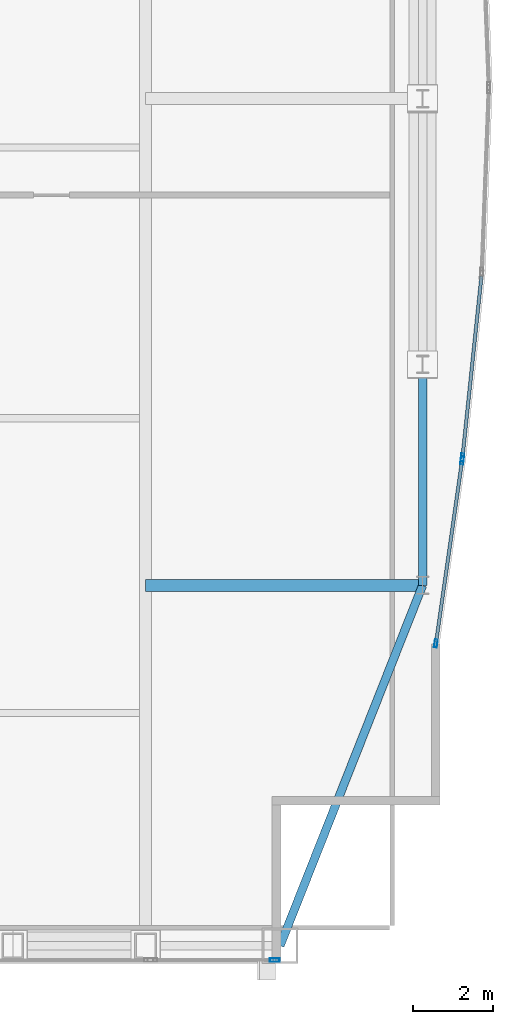
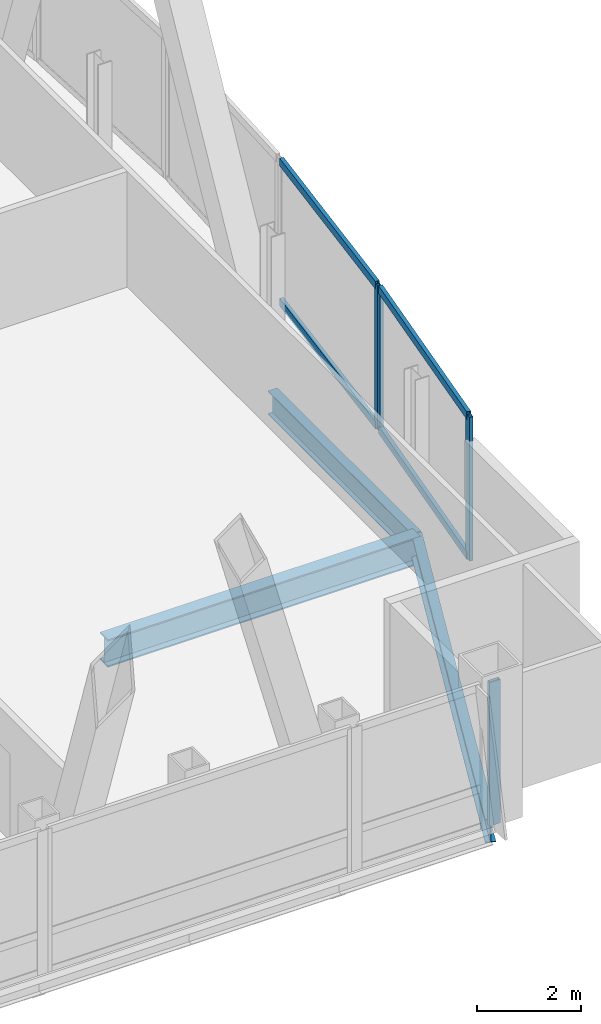
# One storey, part 15 of 29: 8 members, 3 beams, 3 elements without a shape of their own.
"""IFC4 building model written with IfcOpenShell, lengths in metres."""

from ifc_helpers import new_model, si_unit, direction, frame, origin, origin_2d, place, context, subcontext, project, spatial, hollow_rectangle, i_section, extrude, material, material_profile, profile_set, type_object, element, aggregate, save


model = new_model("IFC4")

# Units and contexts
model_context = context("Model", 3, precision=1e-05, world=origin(), true_north=direction((0.0, 1.0)))
body_context = subcontext(model_context, "Body", "Model", "MODEL_VIEW")
ifc_project = project(units=[si_unit("LENGTHUNIT", "METRE"), si_unit("AREAUNIT", "SQUARE_METRE"), si_unit("VOLUMEUNIT", "CUBIC_METRE"), si_unit("PLANEANGLEUNIT", "RADIAN"), si_unit("MASSUNIT", "GRAM", prefix="KILO")], contexts=[model_context])

# Site, building, storey
site_placement = place(None, origin())
site = spatial("IfcSite", under=ifc_project, at=site_placement, CompositionType="ELEMENT")
building_placement = place(site_placement, origin())
building = spatial("IfcBuilding", under=site, at=building_placement, Name="Khoronbel Lancet Exchange", CompositionType="ELEMENT")
storey_placement = place(building_placement, frame((0.0, 0.0, 302.199951171875)))
storey = spatial("IfcBuildingStorey", under=building, at=storey_placement, Name="L78", CompositionType="ELEMENT", Elevation=302.199951171875)

# Beams
ifc_material_1 = material(Name="Steel S355", Category="steel")
ifc_material_profile_1 = material_profile(ifc_material_1, i_section(OverallWidth=0.300048828125, OverallDepth=0.64990234375, WebThickness=0.01611328125, FlangeThickness=0.031005859375, at=origin_2d()), Name="HEB 650")
ifc_profile_set_1 = profile_set([ifc_material_profile_1], Name="Steel S355")
beam_type_1 = type_object("IfcBeamType", Name="BM-BG4", PredefinedType="BEAM", material=ifc_profile_set_1)
beam_1_placement = place(storey_placement, frame((54.675048828125, 19.199951171875, -0.48486328125), z_axis=(1.0, 0.0, 0.0), x_axis=(0.0, 1.0, 0.0)))
element("IfcBeam", 1, at=beam_1_placement, inside=storey, type_object=beam_type_1, Name="Level L78 east lens tie girder LG1E", PredefinedType="BEAM", context=body_context, shape_type="SweptSolid", body=[
    extrude(i_section(OverallWidth=0.300048828125, OverallDepth=0.64990234375, WebThickness=0.01611328125, FlangeThickness=0.031005859375, at=origin_2d()), origin(), (0.0, 0.0, 1.0), 6.954833984375),
])
ifc_material_profile_2 = material_profile(ifc_material_1, i_section(OverallWidth=0.2099609375, OverallDepth=0.550048828125, WebThickness=0.010986328125, FlangeThickness=0.01708984375, at=origin_2d()), Name="IPE 550")
ifc_profile_set_2 = profile_set([ifc_material_profile_2], Name="Steel S355")
beam_type_2 = type_object("IfcBeamType", Name="BM-BSP3", PredefinedType="SPANDREL", material=ifc_profile_set_2)
beam_2_placement = place(storey_placement, frame((58.050048828125, 10.14990234375, -0.43505859375), z_axis=(0.367828403855, 0.929893684954, 0.0), x_axis=(-0.929893684954, 0.367828403855, 0.0)))
element("IfcBeam", 2, at=beam_2_placement, inside=storey, type_object=beam_type_2, Name="Level L78 perimeter spandrel beam SP10", PredefinedType="SPANDREL", context=body_context, shape_type="SweptSolid", body=[
    extrude(i_section(OverallWidth=0.2099609375, OverallDepth=0.550048828125, WebThickness=0.010986328125, FlangeThickness=0.01708984375, at=origin_2d()), origin(), (0.0, 0.0, 1.0), 9.732421875),
])
beam_3_placement = place(storey_placement, frame((61.6298828125, 19.199951171875, -0.43505859375), z_axis=(0.0, 1.0, 0.0), x_axis=(-1.0, 0.0, 0.0)))
element("IfcBeam", 3, at=beam_3_placement, inside=storey, type_object=beam_type_2, Name="Level L78 perimeter spandrel beam SP11", PredefinedType="SPANDREL", context=body_context, shape_type="SweptSolid", body=[
    extrude(i_section(OverallWidth=0.2099609375, OverallDepth=0.550048828125, WebThickness=0.010986328125, FlangeThickness=0.01708984375, at=origin_2d()), origin(), (0.0, 0.0, 1.0), 5.550048828125),
])

# Curtain wall, member
ifc_material_2 = material(Name="Low-E Solar Control Insulating Glass", Category="glass")
curtain_wall_type_1 = type_object("IfcCurtainWallType", Name="CW-3", PredefinedType="NOTDEFINED", material=ifc_material_2)
curtain_wall_1_placement = place(storey_placement, origin())
curtain_wall_1 = element("IfcCurtainWall", 4, at=curtain_wall_1_placement, inside=storey, type_object=curtain_wall_type_1, Name="Unitised curtain wall CW-L78-SEV", PredefinedType="NOTDEFINED")
ifc_material_3 = material(Name="Bronze-Anodised Aluminium 6063-T6", Category="aluminium")
ifc_material_profile_3 = material_profile(ifc_material_3, hollow_rectangle(XDim=0.0849609375, YDim=0.239990234375, WallThickness=0.006103515625, at=origin_2d()), Name="ALU MULLION 85x240")
ifc_profile_set_3 = profile_set([ifc_material_profile_3], Name="Bronze-Anodised Aluminium 6063-T6")
member_type_1 = type_object("IfcMemberType", Name="MEM-CWM1", PredefinedType="MULLION", material=ifc_profile_set_3)
member_1_placement = place(storey_placement, frame((57.91748046875, 9.7900390625, 0.0), z_axis=(0.0, 0.0, 1.0), x_axis=(0.0, 1.0, 0.0)))
member_1 = element("IfcMember", 5, at=member_1_placement, type_object=member_type_1, Name="CW3 mullion 2", PredefinedType="MULLION", context=body_context, shape_type="SweptSolid", body=[
    extrude(hollow_rectangle(XDim=0.0849609375, YDim=0.239990234375, WallThickness=0.006103515625, at=origin_2d()), origin(), (0.0, 0.0, 1.0), 3.380126953125),
])
aggregate(curtain_wall_1, [member_1])

curtain_wall_type_2 = type_object("IfcCurtainWallType", Name="CW-4", PredefinedType="NOTDEFINED", material=ifc_material_2)
curtain_wall_2_placement = place(storey_placement, origin())
curtain_wall_2 = element("IfcCurtainWall", 6, at=curtain_wall_2_placement, inside=storey, type_object=curtain_wall_type_2, Name="Unitised curtain wall CW-L78-E21", PredefinedType="NOTDEFINED")
ifc_material_profile_4 = material_profile(ifc_material_3, hollow_rectangle(XDim=0.074951171875, YDim=0.199951171875, WallThickness=0.0048828125, at=origin_2d()), Name="ALU MULLION 75x200")
ifc_profile_set_4 = profile_set([ifc_material_profile_4], Name="Bronze-Anodised Aluminium 6063-T6")
member_type_2 = type_object("IfcMemberType", Name="MEM-CWM2", PredefinedType="MULLION", material=ifc_profile_set_4)
member_2_placement = place(storey_placement, frame((62.6318359375, 22.4150390625, 0.0), z_axis=(0.0, 0.0, 1.0), x_axis=(0.994563630588, -0.104130613712, 0.0)))
member_2 = element("IfcMember", 7, at=member_2_placement, type_object=member_type_2, Name="CW4 mullion 2", PredefinedType="MULLION", context=body_context, shape_type="SweptSolid", body=[
    extrude(hollow_rectangle(XDim=0.074951171875, YDim=0.199951171875, WallThickness=0.0048828125, at=origin_2d()), origin(), (0.0, 0.0, 1.0), 3.380126953125),
])

# Curtain wall, members
curtain_wall_3_placement = place(storey_placement, origin())
curtain_wall_3 = element("IfcCurtainWall", 8, at=curtain_wall_3_placement, inside=storey, type_object=curtain_wall_type_2, Name="Unitised curtain wall CW-L78-E22", PredefinedType="NOTDEFINED")
member_3_placement = place(storey_placement, frame((62.622802734375, 22.340576171875, 0.0), z_axis=(0.0, 0.0, 1.0), x_axis=(0.989929988267, -0.141557826802, 0.0)))
member_3 = element("IfcMember", 9, at=member_3_placement, type_object=member_type_2, Name="CW4 mullion 1", PredefinedType="MULLION", context=body_context, shape_type="SweptSolid", body=[
    extrude(hollow_rectangle(XDim=0.074951171875, YDim=0.199951171875, WallThickness=0.0048828125, at=origin_2d()), origin(), (0.0, 0.0, 1.0), 3.380126953125),
])
member_4_placement = place(storey_placement, frame((61.96533203125, 17.743408203125, 0.0), z_axis=(0.0, 0.0, 1.0), x_axis=(0.989929988267, -0.141557826802, 0.0)))
member_4 = element("IfcMember", 10, at=member_4_placement, type_object=member_type_2, Name="CW4 mullion 2", PredefinedType="MULLION", context=body_context, shape_type="SweptSolid", body=[
    extrude(hollow_rectangle(XDim=0.074951171875, YDim=0.199951171875, WallThickness=0.0048828125, at=origin_2d()), origin(), (0.0, 0.0, 1.0), 3.380126953125),
])

# Member
ifc_material_profile_5 = material_profile(ifc_material_3, hollow_rectangle(XDim=0.0849609375, YDim=0.179931640625, WallThickness=0.0048828125, at=origin_2d()), Name="ALU TRANSOM 85x180")
ifc_profile_set_5 = profile_set([ifc_material_profile_5], Name="Bronze-Anodised Aluminium 6063-T6")
member_type_3 = type_object("IfcMemberType", Name="MEM-CWT1", PredefinedType="USERDEFINED", material=ifc_profile_set_5)
member_5_placement = place(storey_placement, frame((63.1083984375, 26.965087890625, 0.04248046875), z_axis=(-0.104169407267, -0.994559568145, 0.0), x_axis=(0.994559568145, -0.104169407267, 0.0)))
member_5 = element("IfcMember", 11, at=member_5_placement, type_object=member_type_3, Name="CW4 transom 1.1", ObjectType="TRANSOM", PredefinedType="USERDEFINED", context=body_context, shape_type="SweptSolid", body=[
    extrude(hollow_rectangle(XDim=0.0849609375, YDim=0.179931640625, WallThickness=0.0048828125, at=origin_2d()), origin(), (0.0, 0.0, 1.0), 4.537353515625),
])

member_6_placement = place(storey_placement, frame((63.1083984375, 26.965087890625, 3.337646484375), z_axis=(-0.104169407267, -0.994559568145, 0.0), x_axis=(0.994559568145, -0.104169407267, 0.0)))
member_6 = element("IfcMember", 12, at=member_6_placement, type_object=member_type_3, Name="CW4 transom 1.2", ObjectType="TRANSOM", PredefinedType="USERDEFINED", context=body_context, shape_type="SweptSolid", body=[
    extrude(hollow_rectangle(XDim=0.0849609375, YDim=0.179931640625, WallThickness=0.0048828125, at=origin_2d()), origin(), (0.0, 0.0, 1.0), 4.537353515625),
])

aggregate(curtain_wall_2, [member_2, member_5, member_6])

member_7_placement = place(storey_placement, frame((62.617431640625, 22.303466796875, 0.04248046875), z_axis=(-0.141556017505, -0.989930246991, 0.0), x_axis=(0.989930246991, -0.141556017505, 0.0)))
member_7 = element("IfcMember", 13, at=member_7_placement, type_object=member_type_3, Name="CW4 transom 1.1", ObjectType="TRANSOM", PredefinedType="USERDEFINED", context=body_context, shape_type="SweptSolid", body=[
    extrude(hollow_rectangle(XDim=0.0849609375, YDim=0.179931640625, WallThickness=0.0048828125, at=origin_2d()), origin(), (0.0, 0.0, 1.0), 4.568603515625),
])

member_8_placement = place(storey_placement, frame((62.617431640625, 22.303466796875, 3.337646484375), z_axis=(-0.141556017505, -0.989930246991, 0.0), x_axis=(0.989930246991, -0.141556017505, 0.0)))
member_8 = element("IfcMember", 14, at=member_8_placement, type_object=member_type_3, Name="CW4 transom 1.2", ObjectType="TRANSOM", PredefinedType="USERDEFINED", context=body_context, shape_type="SweptSolid", body=[
    extrude(hollow_rectangle(XDim=0.0849609375, YDim=0.179931640625, WallThickness=0.0048828125, at=origin_2d()), origin(), (0.0, 0.0, 1.0), 4.568603515625),
])

aggregate(curtain_wall_3, [member_3, member_4, member_7, member_8])

save(model, "model.ifc")
